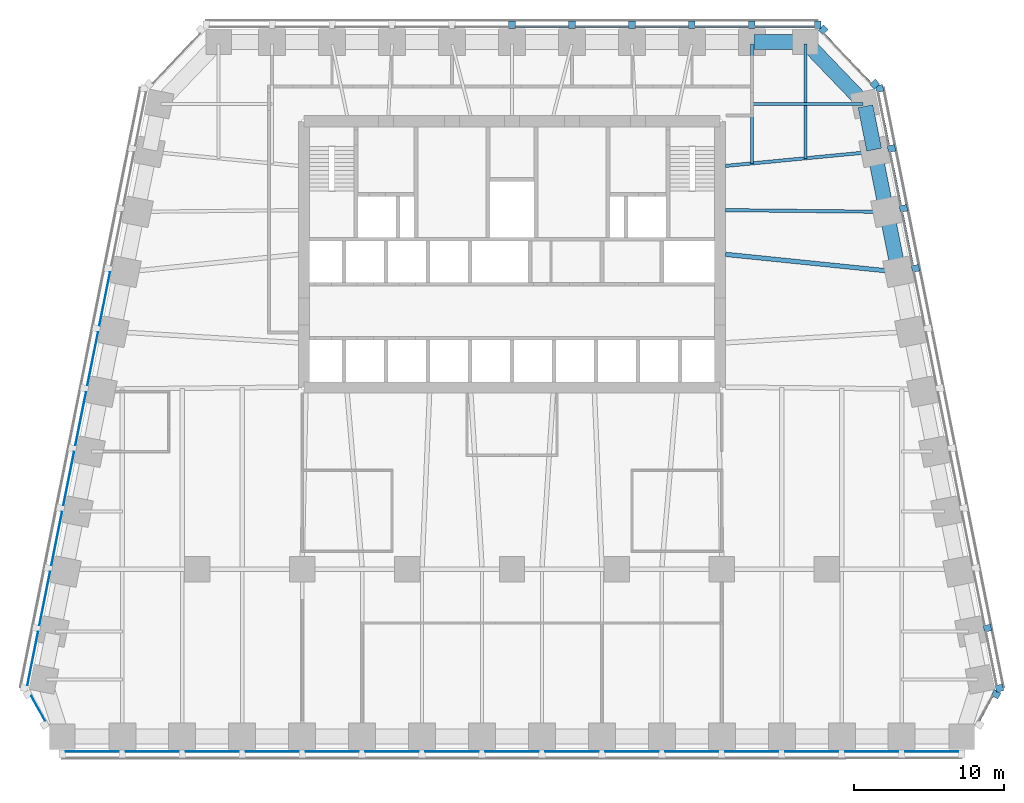
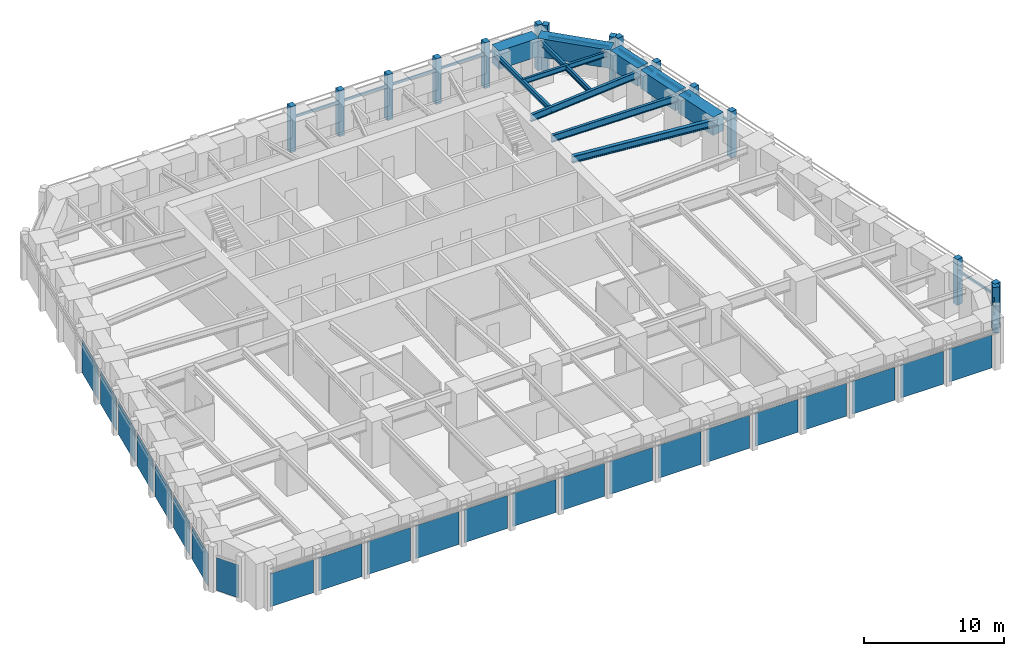
# One storey, part 4 of 9: 26 members, 23 plates, 11 beams, 7 elements without a shape of their own.
"""IFC4 building model written with IfcOpenShell, lengths in metres."""

import ifcopenshell
import ifcopenshell.guid

model = None  # the IFC model being written
_history = None  # IfcOwnerHistory: only IFC2X3 demands one
_inside = {}  # id of a spatial element -> (the spatial element, [elements in it])
_under = {}  # id of a project, library or spatial element -> (it, [spatial elements below it])
_declared = {}  # id of a project -> (the project, [libraries it declares])
_typed = {}  # id of a type object -> (the type object, [elements of that type])
_made_of = {}  # id of a material, layer set ... -> (it, [elements and type objects made of it])


def new_model(schema):
    """Start an empty IFC model of exactly this schema.

    Asked for "IFC4X3", IfcOpenShell would pick the latest addendum, in which some entities
    have other attributes; the version numbers below select the first issue.
    IFC2X3 requires an IfcOwnerHistory on every rooted entity: one is made here for all.
    """
    global model, _history
    if schema == "IFC4X3":
        model = ifcopenshell.file(schema_version=(4, 3, 0, 0))
    else:
        model = ifcopenshell.file(schema=schema)
    _inside.clear()
    _under.clear()
    _declared.clear()
    _typed.clear()
    _made_of.clear()
    _history = None
    if model.schema == "IFC2X3":
        org = make("IfcOrganization", Name="unknown")
        user = make(
            "IfcPersonAndOrganization",
            ThePerson=make("IfcPerson", FamilyName="unknown"),
            TheOrganization=org,
        )
        app = make(
            "IfcApplication",
            ApplicationDeveloper=org,
            Version="unknown",
            ApplicationFullName="unknown",
            ApplicationIdentifier="unknown",
        )
        _history = make(
            "IfcOwnerHistory",
            OwningUser=user,
            OwningApplication=app,
            ChangeAction="ADDED",
            CreationDate=0,
        )
    return model


def make(cls, **values):
    """One entity of the class cls with the attributes given. An attribute that is None is left unset."""
    return model.create_entity(
        cls, **{name: value for name, value in values.items() if value is not None}
    )


def rooted(cls, **values):
    """An entity with a GlobalId (a new one), such as an element, a storey or a relation."""
    return make(cls, GlobalId=ifcopenshell.guid.new(), OwnerHistory=_history, **values)


def si_unit(unit_type, name, prefix=None):
    """IfcSIUnit, for example si_unit("LENGTHUNIT", "METRE", prefix="MILLI")."""
    return make("IfcSIUnit", UnitType=unit_type, Prefix=prefix, Name=name)


def assignment(units):
    """IfcUnitAssignment: the units of a project."""
    return None if units is None else make("IfcUnitAssignment", Units=units)


def point(xyz):
    """IfcCartesianPoint."""
    return None if xyz is None else make("IfcCartesianPoint", Coordinates=xyz)


def direction(xyz):
    """IfcDirection."""
    return None if xyz is None else make("IfcDirection", DirectionRatios=xyz)


def frame(location, z_axis=None, x_axis=None):
    """IfcAxis2Placement3D, a coordinate frame: its origin and axes. An axis left out is left unset."""
    return make(
        "IfcAxis2Placement3D",
        Location=point(location),
        Axis=direction(z_axis),
        RefDirection=direction(x_axis),
    )


def frame_2d(location, x_axis=None):
    """IfcAxis2Placement2D, a coordinate frame in the plane: its origin and x axis."""
    return make(
        "IfcAxis2Placement2D", Location=point(location), RefDirection=direction(x_axis)
    )


def origin():
    """The frame at (0, 0, 0) with its axes left unset."""
    return frame((0.0, 0.0, 0.0))


def origin_2d():
    """The frame at (0, 0) in the plane with its x axis left unset."""
    return frame_2d((0.0, 0.0))


def place(relative_to, where):
    """IfcLocalPlacement: puts the frame where relative to a parent placement (None: the world)."""
    return make(
        "IfcLocalPlacement", PlacementRelTo=relative_to, RelativePlacement=where
    )


def context(
    kind, dimensions, precision=None, world=None, true_north=None, identifier=None
):
    """IfcGeometricRepresentationContext, for example the 3D "Model" context."""
    return make(
        "IfcGeometricRepresentationContext",
        ContextIdentifier=identifier,
        ContextType=kind,
        CoordinateSpaceDimension=dimensions,
        Precision=precision,
        WorldCoordinateSystem=world,
        TrueNorth=true_north,
    )


def subcontext(parent, identifier, kind, view, scale=None):
    """IfcGeometricRepresentationSubContext, for example "Body" below "Model"."""
    return make(
        "IfcGeometricRepresentationSubContext",
        ContextIdentifier=identifier,
        ContextType=kind,
        ParentContext=parent,
        TargetScale=scale,
        TargetView=view,
    )


def project(units=None, contexts=None):
    """IfcProject with its units and contexts."""
    return rooted(
        "IfcProject",
        Name="project",
        RepresentationContexts=contexts,
        UnitsInContext=assignment(units),
    )


def spatial(cls, under=None, at=None, **own):
    """A site, building, storey or space (cls), placed at a placement, below another one or the project."""
    s = rooted(cls, ObjectPlacement=at, **own)
    if under is not None:
        _under.setdefault(under.id(), (under, []))[1].append(s)
    return s


def profile(cls, at=None, kind="AREA", **sizes):
    """A parametric profile (cls). Its sizes go by their IFC names, for example OverallWidth=200.0."""
    return make(cls, ProfileType=kind, Position=at, **sizes)


def rectangle(**sizes):
    """IfcRectangleProfileDef."""
    return profile("IfcRectangleProfileDef", **sizes)


def i_section(**sizes):
    """IfcIShapeProfileDef."""
    return profile("IfcIShapeProfileDef", **sizes)


def extrude(swept, where, along, depth):
    """IfcExtrudedAreaSolid: the profile swept, set in the frame where, extruded along a direction by depth."""
    return make(
        "IfcExtrudedAreaSolid",
        SweptArea=swept,
        Position=where,
        ExtrudedDirection=direction(along),
        Depth=depth,
    )


def shape(context_of_items, identifier, shape_type, items):
    """IfcShapeRepresentation: the items that make up one representation, for example the "Body"."""
    return make(
        "IfcShapeRepresentation",
        ContextOfItems=context_of_items,
        RepresentationIdentifier=identifier,
        RepresentationType=shape_type,
        Items=items,
    )


def material(Name=None, Category=None):
    """IfcMaterial."""
    return make("IfcMaterial", Name=Name, Category=Category)


def layer(
    of_material, thickness, ventilated=None, Name=None, Category=None, Priority=None
):
    """IfcMaterialLayer: one layer of a wall or slab, of a material (None: an air gap)."""
    return make(
        "IfcMaterialLayer",
        Material=of_material,
        LayerThickness=thickness,
        IsVentilated=ventilated,
        Name=Name,
        Category=Category,
        Priority=Priority,
    )


def layer_set(layers, Name=None):
    """IfcMaterialLayerSet."""
    return make("IfcMaterialLayerSet", MaterialLayers=layers, LayerSetName=Name)


def material_profile(
    of_material, cross_section, Name=None, Category=None, Priority=None
):
    """IfcMaterialProfile: a cross section and its material."""
    return make(
        "IfcMaterialProfile",
        Name=Name,
        Material=of_material,
        Profile=cross_section,
        Priority=Priority,
        Category=Category,
    )


def profile_set(profiles, Name=None, composite=None):
    """IfcMaterialProfileSet."""
    return make(
        "IfcMaterialProfileSet",
        Name=Name,
        MaterialProfiles=profiles,
        CompositeProfile=composite,
    )


def made_of(thing, what):
    """Note that an element or type object is made of a material, layer set ...; save() writes the relation."""
    if what is not None:
        _made_of.setdefault(what.id(), (what, []))[1].append(thing)
    return thing


def type_object(cls, material=None, **own):
    """A type object (cls), such as IfcWallType, which elements share."""
    return made_of(rooted(cls, **own), material)


def element(
    cls,
    number,
    at=None,
    inside=None,
    cuts=None,
    type_object=None,
    material=None,
    context=None,
    identifier="Body",
    shape_type=None,
    held_by="IfcProductDefinitionShape",
    body=None,
    shapes=None,
    **own,
):
    """One element of the class cls, such as IfcWall. Its Tag is "e" and its number.

    at: its placement. inside: the storey or other place that contains it. cuts: it is an
    opening in that element (IfcRelVoidsElement). A single representation is given by context,
    identifier, shape_type and body (its items); several are given by shapes. held_by: the class
    of the entity that holds the representations. save() writes the other relations.
    """
    e = rooted(cls, Tag="e%d" % number, ObjectPlacement=at, **own)
    if body is not None:
        shapes = [shape(context, identifier, shape_type, body)]
    if shapes is not None:
        e.Representation = make(held_by, Representations=shapes)
    if inside is not None:
        _inside.setdefault(inside.id(), (inside, []))[1].append(e)
    if cuts is not None:
        rooted(
            "IfcRelVoidsElement", RelatingBuildingElement=cuts, RelatedOpeningElement=e
        )
    if type_object is not None:
        _typed.setdefault(type_object.id(), (type_object, []))[1].append(e)
    return made_of(e, material)


def aggregate(whole, parts):
    """IfcRelAggregates: a whole, such as a stair, and the parts it consists of."""
    return rooted("IfcRelAggregates", RelatingObject=whole, RelatedObjects=parts)


def save(model, path):
    """Write the relations noted so far, then the file.

    IfcRelAggregates (storeys below a building ...), IfcRelContainedInSpatialStructure (elements
    in a storey), IfcRelDefinesByType, IfcRelAssociatesMaterial and IfcRelDeclares: one each for
    every whole, place, type object, material and project.
    """
    for whole, parts in _under.values():
        aggregate(whole, parts)
    for where, things in _inside.values():
        rooted(
            "IfcRelContainedInSpatialStructure",
            RelatedElements=things,
            RelatingStructure=where,
        )
    for kind, things in _typed.values():
        rooted("IfcRelDefinesByType", RelatedObjects=things, RelatingType=kind)
    for what, things in _made_of.values():
        rooted("IfcRelAssociatesMaterial", RelatedObjects=things, RelatingMaterial=what)
    for by, libraries in _declared.values():
        rooted("IfcRelDeclares", RelatingContext=by, RelatedDefinitions=libraries)
    model.write(path)


model = new_model("IFC4")

# Units and contexts
model_context = context("Model", 3, precision=1e-05, world=origin(), true_north=direction((0.0, 1.0)))
body_context = subcontext(model_context, "Body", "Model", "MODEL_VIEW")
ifc_project = project(units=[si_unit("LENGTHUNIT", "METRE"), si_unit("AREAUNIT", "SQUARE_METRE"), si_unit("VOLUMEUNIT", "CUBIC_METRE"), si_unit("PLANEANGLEUNIT", "RADIAN"), si_unit("MASSUNIT", "GRAM", prefix="KILO")], contexts=[model_context])

# Site, building, storey
site_placement = place(None, origin())
site = spatial("IfcSite", under=ifc_project, at=site_placement, CompositionType="ELEMENT")
building_placement = place(site_placement, origin())
building = spatial("IfcBuilding", under=site, at=building_placement, Name="Isbrekke Arena Tower", CompositionType="ELEMENT")
storey_placement = place(building_placement, frame((0.0, 0.0, 127.0)))
storey = spatial("IfcBuildingStorey", under=building, at=storey_placement, Name="L28", CompositionType="ELEMENT", Elevation=127.0)

# Beams
ifc_material_1 = material(Name="Steel S355", Category="steel")
ifc_material_profile_1 = material_profile(ifc_material_1, i_section(OverallWidth=0.219970703125, OverallDepth=0.60009765625, WebThickness=0.011962890625, FlangeThickness=0.01904296875, FilletRadius=0.02392578125, at=origin_2d()), Name="IPE 600")
ifc_profile_set_1 = profile_set([ifc_material_profile_1], Name="Steel S355")
beam_type_1 = type_object("IfcBeamType", Name="B1 IPE 600", PredefinedType="BEAM", material=ifc_profile_set_1)
beam_1_placement = place(storey_placement, frame((24.83984375, 17.838134765625, 3.550048828125), z_axis=(-0.999944260169, 0.010558245831, 0.0), x_axis=(-0.010558245831, -0.999944260169, 0.0)))
element("IfcBeam", 1, at=beam_1_placement, inside=storey, type_object=beam_type_1, Name="B1 beam E-E09 L28", PredefinedType="BEAM", context=body_context, shape_type="SweptSolid", body=[
    extrude(i_section(OverallWidth=0.219970703125, OverallDepth=0.60009765625, WebThickness=0.011962890625, FlangeThickness=0.01904296875, FilletRadius=0.02392578125, at=origin_2d()), origin(), (0.0, 0.0, 1.0), 10.59033203125),
])
beam_2_placement = place(storey_placement, frame((24.030517578125, 21.837158203125, 3.550048828125), z_axis=(-0.995439798606, -0.095391862082, 0.0), x_axis=(0.095391862082, -0.995439798606, 0.0)))
element("IfcBeam", 2, at=beam_2_placement, inside=storey, type_object=beam_type_1, Name="B1 beam E-E10 L28", PredefinedType="BEAM", context=body_context, shape_type="SweptSolid", body=[
    extrude(i_section(OverallWidth=0.219970703125, OverallDepth=0.60009765625, WebThickness=0.011962890625, FlangeThickness=0.01904296875, FilletRadius=0.02392578125, at=origin_2d()), origin(), (0.0, 0.0, 1.0), 9.825439453125),
])
ifc_material_2 = material(Name="Steel S355", Category="steel")
ifc_material_profile_2 = material_profile(ifc_material_2, i_section(OverallWidth=0.18994140625, OverallDepth=0.449951171875, WebThickness=0.009521484375, FlangeThickness=0.0146484375, FilletRadius=0.02099609375, at=origin_2d()), Name="IPE 450")
ifc_profile_set_2 = profile_set([ifc_material_profile_2], Name="Steel S355")
beam_type_2 = type_object("IfcBeamType", Name="B2 IPE 450", PredefinedType="BEAM", material=ifc_profile_set_2)
beam_3_placement = place(storey_placement, frame((23.40283203125, 25.029296875, 3.625), z_axis=(-1.0, 0.0, 0.0), x_axis=(0.0, -1.0, 0.0)))
element("IfcBeam", 3, at=beam_3_placement, inside=storey, type_object=beam_type_2, Name="B2 beam E-E11 L28", PredefinedType="BEAM", context=body_context, shape_type="SweptSolid", body=[
    extrude(i_section(OverallWidth=0.18994140625, OverallDepth=0.449951171875, WebThickness=0.009521484375, FlangeThickness=0.0146484375, FilletRadius=0.02099609375, at=origin_2d()), origin(), (0.0, 0.0, 1.0), 7.40283203125),
])
ifc_material_3 = material(Name="Steel S355", Category="steel")
ifc_material_profile_3 = material_profile(ifc_material_3, i_section(OverallWidth=0.18994140625, OverallDepth=0.449951171875, WebThickness=0.009521484375, FlangeThickness=0.0146484375, FilletRadius=0.02099609375, at=origin_2d()), Name="IPE 450")
ifc_profile_set_3 = profile_set([ifc_material_profile_3], Name="Steel S355")
beam_type_3 = type_object("IfcBeamType", Name="B3 IPE 450", PredefinedType="BEAM", material=ifc_profile_set_3)
beam_4_placement = place(storey_placement, frame((19.574951171875, 29.02490234375, 3.625), z_axis=(0.0, -1.0, 0.0), x_axis=(1.0, 0.0, 0.0)))
element("IfcBeam", 4, at=beam_4_placement, inside=storey, type_object=beam_type_3, Name="B3 beam N-N01 L28", PredefinedType="BEAM", context=body_context, shape_type="SweptSolid", body=[
    extrude(i_section(OverallWidth=0.18994140625, OverallDepth=0.449951171875, WebThickness=0.009521484375, FlangeThickness=0.0146484375, FilletRadius=0.02099609375, at=origin_2d()), origin(), (0.0, 0.0, 1.0), 7.61474609375),
])
beam_5_placement = place(storey_placement, frame((16.0, 29.02490234375, 3.625), z_axis=(0.0, -1.0, 0.0), x_axis=(1.0, 0.0, 0.0)))
element("IfcBeam", 5, at=beam_5_placement, inside=storey, type_object=beam_type_3, Name="B3 beam N-N02 L28", PredefinedType="BEAM", context=body_context, shape_type="SweptSolid", body=[
    extrude(i_section(OverallWidth=0.18994140625, OverallDepth=0.449951171875, WebThickness=0.009521484375, FlangeThickness=0.0146484375, FilletRadius=0.02099609375, at=origin_2d()), origin(), (0.0, 0.0, 1.0), 7.957275390625),
])
ifc_material_4 = material(Name="Steel S355", Category="steel")
ifc_material_profile_4 = material_profile(ifc_material_4, i_section(OverallWidth=0.300048828125, OverallDepth=0.60009765625, WebThickness=0.015380859375, FlangeThickness=0.030029296875, FilletRadius=0.027099609375, at=origin_2d()), Name="HEB 600")
ifc_profile_set_4 = profile_set([ifc_material_profile_4], Name="Steel S355")
beam_type_4 = type_object("IfcBeamType", Name="B7 HEB 600", PredefinedType="BEAM", material=ifc_profile_set_4)
beam_6_placement = place(storey_placement, frame((25.6259765625, 13.83984375, 3.550048828125), z_axis=(-0.994839949319, 0.10145676537, 0.0), x_axis=(-0.10145676537, -0.994839949319, 0.0)))
element("IfcBeam", 6, at=beam_6_placement, inside=storey, type_object=beam_type_4, Name="B7 beam E-E08 L28", PredefinedType="BEAM", context=body_context, shape_type="SweptSolid", body=[
    extrude(i_section(OverallWidth=0.300048828125, OverallDepth=0.60009765625, WebThickness=0.015380859375, FlangeThickness=0.030029296875, FilletRadius=0.027099609375, at=origin_2d()), origin(), (0.0, 0.0, 1.0), 11.43505859375),
])

# Curtain wall, member
ifc_material_5 = material(Name="Glazed aluminium curtain wall", Category="aluminium")
curtain_wall_type = type_object("IfcCurtainWallType", Name="CWM TOWER CURTAIN WALL MID ZONE", PredefinedType="USERDEFINED", material=ifc_material_5)
curtain_wall_1_placement = place(storey_placement, origin())
curtain_wall_1 = element("IfcCurtainWall", 7, at=curtain_wall_1_placement, inside=storey, type_object=curtain_wall_type, Name="CWM curtain wall L28-SE", ObjectType="TOWER CURTAIN WALL MID ZONE", PredefinedType="USERDEFINED")
ifc_material_6 = material(Name="Aluminium mullion, pale brick slip cladding", Category="masonry")
ifc_material_profile_5 = material_profile(ifc_material_6, rectangle(XDim=0.449951171875, YDim=0.5, at=origin_2d()), Name="PIER 450X500")
ifc_profile_set_5 = profile_set([ifc_material_profile_5], Name="Aluminium mullion, pale brick slip cladding")
member_type_1 = type_object("IfcMemberType", Name="CWM-M PIER MULLION 450 x 500", PredefinedType="MULLION", material=ifc_profile_set_5)
member_1_placement = place(storey_placement, frame((32.296142578125, -14.34375, 0.0), z_axis=(0.0, 0.0, 1.0), x_axis=(0.481918749773, 0.876215908676, 0.0)))
member_1 = element("IfcMember", 8, at=member_1_placement, type_object=member_type_1, Name="CWM-M mullion 2", PredefinedType="MULLION", context=body_context, shape_type="SweptSolid", body=[
    extrude(rectangle(XDim=0.449951171875, YDim=0.5, at=origin_2d()), origin(), (0.0, 0.0, 1.0), 4.0),
])

# Curtain wall, members
curtain_wall_2_placement = place(storey_placement, origin())
curtain_wall_2 = element("IfcCurtainWall", 9, at=curtain_wall_2_placement, inside=storey, type_object=curtain_wall_type, Name="CWM curtain wall L28-E", ObjectType="TOWER CURTAIN WALL MID ZONE", PredefinedType="USERDEFINED")
member_2_placement = place(storey_placement, frame((32.518798828125, -13.936279296875, 0.0), z_axis=(0.0, 0.0, 1.0), x_axis=(-0.196116135138, 0.980580675691, 0.0)))
member_2 = element("IfcMember", 10, at=member_2_placement, type_object=member_type_1, Name="CWM-M mullion 1", PredefinedType="MULLION", context=body_context, shape_type="SweptSolid", body=[
    extrude(rectangle(XDim=0.449951171875, YDim=0.5, at=origin_2d()), origin(), (0.0, 0.0, 1.0), 4.0),
])
member_3_placement = place(storey_placement, frame((31.71875, -9.936279296875, 0.0), z_axis=(0.0, 0.0, 1.0), x_axis=(-0.196116135138, 0.980580675691, 0.0)))
member_3 = element("IfcMember", 11, at=member_3_placement, type_object=member_type_1, Name="CWM-M mullion 2", PredefinedType="MULLION", context=body_context, shape_type="SweptSolid", body=[
    extrude(rectangle(XDim=0.449951171875, YDim=0.5, at=origin_2d()), origin(), (0.0, 0.0, 1.0), 4.0),
])
member_4_placement = place(storey_placement, frame((26.918701171875, 14.063720703125, 0.0), z_axis=(0.0, 0.0, 1.0), x_axis=(-0.196116135138, 0.980580675691, 0.0)))
member_4 = element("IfcMember", 12, at=member_4_placement, type_object=member_type_1, Name="CWM-M mullion 8", PredefinedType="MULLION", context=body_context, shape_type="SweptSolid", body=[
    extrude(rectangle(XDim=0.449951171875, YDim=0.5, at=origin_2d()), origin(), (0.0, 0.0, 1.0), 4.0),
])
member_5_placement = place(storey_placement, frame((26.11865234375, 18.063720703125, 0.0), z_axis=(0.0, 0.0, 1.0), x_axis=(-0.196116135138, 0.980580675691, 0.0)))
member_5 = element("IfcMember", 13, at=member_5_placement, type_object=member_type_1, Name="CWM-M mullion 9", PredefinedType="MULLION", context=body_context, shape_type="SweptSolid", body=[
    extrude(rectangle(XDim=0.449951171875, YDim=0.5, at=origin_2d()), origin(), (0.0, 0.0, 1.0), 4.0),
])
member_6_placement = place(storey_placement, frame((25.318603515625, 22.063720703125, 0.0), z_axis=(0.0, 0.0, 1.0), x_axis=(-0.196116135138, 0.980580675691, 0.0)))
member_6 = element("IfcMember", 14, at=member_6_placement, type_object=member_type_1, Name="CWM-M mullion 10", PredefinedType="MULLION", context=body_context, shape_type="SweptSolid", body=[
    extrude(rectangle(XDim=0.449951171875, YDim=0.5, at=origin_2d()), origin(), (0.0, 0.0, 1.0), 4.0),
])
member_7_placement = place(storey_placement, frame((24.518798828125, 26.063720703125, 0.0), z_axis=(0.0, 0.0, 1.0), x_axis=(-0.196116135138, 0.980580675691, 0.0)))
member_7 = element("IfcMember", 15, at=member_7_placement, type_object=member_type_1, Name="CWM-M mullion 11", PredefinedType="MULLION", context=body_context, shape_type="SweptSolid", body=[
    extrude(rectangle(XDim=0.449951171875, YDim=0.5, at=origin_2d()), origin(), (0.0, 0.0, 1.0), 4.0),
])

curtain_wall_3_placement = place(storey_placement, origin())
curtain_wall_3 = element("IfcCurtainWall", 16, at=curtain_wall_3_placement, inside=storey, type_object=curtain_wall_type, Name="CWM curtain wall L28-EN", ObjectType="TOWER CURTAIN WALL MID ZONE", PredefinedType="USERDEFINED")
member_8_placement = place(storey_placement, frame((24.208251953125, 26.354248046875, 0.0), z_axis=(0.0, 0.0, 1.0), x_axis=(-0.68874946192, 0.72499943359, 0.0)))
member_8 = element("IfcMember", 17, at=member_8_placement, type_object=member_type_1, Name="CWM-M mullion 1", PredefinedType="MULLION", context=body_context, shape_type="SweptSolid", body=[
    extrude(rectangle(XDim=0.449951171875, YDim=0.5, at=origin_2d()), origin(), (0.0, 0.0, 1.0), 4.0),
])
member_9_placement = place(storey_placement, frame((20.7587890625, 29.9853515625, 0.0), z_axis=(0.0, 0.0, 1.0), x_axis=(-0.68874946192, 0.72499943359, 0.0)))
member_9 = element("IfcMember", 18, at=member_9_placement, type_object=member_type_1, Name="CWM-M mullion 2", PredefinedType="MULLION", context=body_context, shape_type="SweptSolid", body=[
    extrude(rectangle(XDim=0.449951171875, YDim=0.5, at=origin_2d()), origin(), (0.0, 0.0, 1.0), 4.0),
])

curtain_wall_4_placement = place(storey_placement, origin())
curtain_wall_4 = element("IfcCurtainWall", 19, at=curtain_wall_4_placement, inside=storey, type_object=curtain_wall_type, Name="CWM curtain wall L28-N", ObjectType="TOWER CURTAIN WALL MID ZONE", PredefinedType="USERDEFINED")
member_10_placement = place(storey_placement, frame((20.39990234375, 30.324951171875, 0.0), z_axis=(0.0, 0.0, 1.0), x_axis=(-1.0, 0.0, 0.0)))
member_10 = element("IfcMember", 20, at=member_10_placement, type_object=member_type_1, Name="CWM-M mullion 1", PredefinedType="MULLION", context=body_context, shape_type="SweptSolid", body=[
    extrude(rectangle(XDim=0.449951171875, YDim=0.5, at=origin_2d()), origin(), (0.0, 0.0, 1.0), 4.0),
])
member_11_placement = place(storey_placement, frame((16.0, 30.324951171875, 0.0), z_axis=(0.0, 0.0, 1.0), x_axis=(-1.0, 0.0, 0.0)))
member_11 = element("IfcMember", 21, at=member_11_placement, type_object=member_type_1, Name="CWM-M mullion 2", PredefinedType="MULLION", context=body_context, shape_type="SweptSolid", body=[
    extrude(rectangle(XDim=0.449951171875, YDim=0.5, at=origin_2d()), origin(), (0.0, 0.0, 1.0), 4.0),
])
member_12_placement = place(storey_placement, frame((12.0, 30.324951171875, 0.0), z_axis=(0.0, 0.0, 1.0), x_axis=(-1.0, 0.0, 0.0)))
member_12 = element("IfcMember", 22, at=member_12_placement, type_object=member_type_1, Name="CWM-M mullion 3", PredefinedType="MULLION", context=body_context, shape_type="SweptSolid", body=[
    extrude(rectangle(XDim=0.449951171875, YDim=0.5, at=origin_2d()), origin(), (0.0, 0.0, 1.0), 4.0),
])
member_13_placement = place(storey_placement, frame((8.0, 30.324951171875, 0.0), z_axis=(0.0, 0.0, 1.0), x_axis=(-1.0, 0.0, 0.0)))
member_13 = element("IfcMember", 23, at=member_13_placement, type_object=member_type_1, Name="CWM-M mullion 4", PredefinedType="MULLION", context=body_context, shape_type="SweptSolid", body=[
    extrude(rectangle(XDim=0.449951171875, YDim=0.5, at=origin_2d()), origin(), (0.0, 0.0, 1.0), 4.0),
])
member_14_placement = place(storey_placement, frame((4.0, 30.324951171875, 0.0), z_axis=(0.0, 0.0, 1.0), x_axis=(-1.0, 0.0, 0.0)))
member_14 = element("IfcMember", 24, at=member_14_placement, type_object=member_type_1, Name="CWM-M mullion 5", PredefinedType="MULLION", context=body_context, shape_type="SweptSolid", body=[
    extrude(rectangle(XDim=0.449951171875, YDim=0.5, at=origin_2d()), origin(), (0.0, 0.0, 1.0), 4.0),
])
member_15_placement = place(storey_placement, frame((0.0, 30.324951171875, 0.0), z_axis=(0.0, 0.0, 1.0), x_axis=(-1.0, 0.0, 0.0)))
member_15 = element("IfcMember", 25, at=member_15_placement, type_object=member_type_1, Name="CWM-M mullion 6", PredefinedType="MULLION", context=body_context, shape_type="SweptSolid", body=[
    extrude(rectangle(XDim=0.449951171875, YDim=0.5, at=origin_2d()), origin(), (0.0, 0.0, 1.0), 4.0),
])

# Member
ifc_material_7 = material(Name="Aluminium transom", Category="aluminium")
ifc_material_profile_6 = material_profile(ifc_material_7, rectangle(XDim=0.1201171875, YDim=0.199951171875, at=origin_2d()), Name="TRANSOM 120X200")
ifc_profile_set_6 = profile_set([ifc_material_profile_6], Name="Aluminium transom")
member_type_2 = type_object("IfcMemberType", Name="CWM-T TRANSOM 120 x 200", PredefinedType="USERDEFINED", material=ifc_profile_set_6)
member_16_placement = place(storey_placement, frame((31.152099609375, -16.112548828125, 3.0), z_axis=(0.482003669577, 0.876169197424, 0.0), x_axis=(-0.876169197424, 0.482003669577, 0.0)))
member_16 = element("IfcMember", 26, at=member_16_placement, type_object=member_type_2, Name="CWM-T transom 1", ObjectType="TRANSOM", PredefinedType="USERDEFINED", context=body_context, shape_type="SweptSolid", body=[
    extrude(rectangle(XDim=0.1201171875, YDim=0.199951171875, at=origin_2d()), origin(), (0.0, 0.0, 1.0), 1.876220703125),
])

aggregate(curtain_wall_1, [member_1, member_16])

member_17_placement = place(storey_placement, frame((32.327392578125, -13.7451171875, 3.0), z_axis=(-0.196090262229, 0.980585849918, 0.0), x_axis=(-0.980585849918, -0.196090262229, 0.0)))
member_17 = element("IfcMember", 27, at=member_17_placement, type_object=member_type_2, Name="CWM-T transom 1", ObjectType="TRANSOM", PredefinedType="USERDEFINED", context=body_context, shape_type="SweptSolid", body=[
    extrude(rectangle(XDim=0.1201171875, YDim=0.199951171875, at=origin_2d()), origin(), (0.0, 0.0, 1.0), 3.62939453125),
])

member_18_placement = place(storey_placement, frame((26.7275390625, 14.2548828125, 3.0), z_axis=(-0.196154943734, 0.980572913173, 0.0), x_axis=(-0.980572913173, -0.196154943734, 0.0)))
member_18 = element("IfcMember", 28, at=member_18_placement, type_object=member_type_2, Name="CWM-T transom 8", ObjectType="TRANSOM", PredefinedType="USERDEFINED", context=body_context, shape_type="SweptSolid", body=[
    extrude(rectangle(XDim=0.1201171875, YDim=0.199951171875, at=origin_2d()), origin(), (0.0, 0.0, 1.0), 3.62939453125),
])

member_19_placement = place(storey_placement, frame((25.927490234375, 18.2548828125, 3.0), z_axis=(-0.196090262229, 0.980585849918, 0.0), x_axis=(-0.980585849918, -0.196090262229, 0.0)))
member_19 = element("IfcMember", 29, at=member_19_placement, type_object=member_type_2, Name="CWM-T transom 9", ObjectType="TRANSOM", PredefinedType="USERDEFINED", context=body_context, shape_type="SweptSolid", body=[
    extrude(rectangle(XDim=0.1201171875, YDim=0.199951171875, at=origin_2d()), origin(), (0.0, 0.0, 1.0), 3.62939453125),
])

member_20_placement = place(storey_placement, frame((25.12744140625, 22.2548828125, 3.0), z_axis=(-0.196090262229, 0.980585849918, 0.0), x_axis=(-0.980585849918, -0.196090262229, 0.0)))
member_20 = element("IfcMember", 30, at=member_20_placement, type_object=member_type_2, Name="CWM-T transom 10", ObjectType="TRANSOM", PredefinedType="USERDEFINED", context=body_context, shape_type="SweptSolid", body=[
    extrude(rectangle(XDim=0.1201171875, YDim=0.199951171875, at=origin_2d()), origin(), (0.0, 0.0, 1.0), 3.62939453125),
])

aggregate(curtain_wall_2, [member_2, member_3, member_4, member_5, member_6, member_7, member_17, member_18, member_19, member_20])

member_21_placement = place(storey_placement, frame((23.944580078125, 26.4140625, 3.0), z_axis=(-0.688771983213, 0.724978037696, 0.0), x_axis=(-0.724978037696, -0.688771983213, 0.0)))
member_21 = element("IfcMember", 31, at=member_21_placement, type_object=member_type_2, Name="CWM-T transom 1", ObjectType="TRANSOM", PredefinedType="USERDEFINED", context=body_context, shape_type="SweptSolid", body=[
    extrude(rectangle(XDim=0.1201171875, YDim=0.199951171875, at=origin_2d()), origin(), (0.0, 0.0, 1.0), 4.558349609375),
])

aggregate(curtain_wall_3, [member_8, member_9, member_21])

member_22_placement = place(storey_placement, frame((20.175048828125, 30.175048828125, 3.0), z_axis=(-1.0, 0.0, 0.0), x_axis=(0.0, -1.0, 0.0)))
member_22 = element("IfcMember", 32, at=member_22_placement, type_object=member_type_2, Name="CWM-T transom 1", ObjectType="TRANSOM", PredefinedType="USERDEFINED", context=body_context, shape_type="SweptSolid", body=[
    extrude(rectangle(XDim=0.1201171875, YDim=0.199951171875, at=origin_2d()), origin(), (0.0, 0.0, 1.0), 3.949951171875),
])

member_23_placement = place(storey_placement, frame((15.77490234375, 30.175048828125, 3.0), z_axis=(-1.0, 0.0, 0.0), x_axis=(0.0, -1.0, 0.0)))
member_23 = element("IfcMember", 33, at=member_23_placement, type_object=member_type_2, Name="CWM-T transom 2", ObjectType="TRANSOM", PredefinedType="USERDEFINED", context=body_context, shape_type="SweptSolid", body=[
    extrude(rectangle(XDim=0.1201171875, YDim=0.199951171875, at=origin_2d()), origin(), (0.0, 0.0, 1.0), 3.5498046875),
])

member_24_placement = place(storey_placement, frame((11.77490234375, 30.175048828125, 3.0), z_axis=(-1.0, 0.0, 0.0), x_axis=(0.0, -1.0, 0.0)))
member_24 = element("IfcMember", 34, at=member_24_placement, type_object=member_type_2, Name="CWM-T transom 3", ObjectType="TRANSOM", PredefinedType="USERDEFINED", context=body_context, shape_type="SweptSolid", body=[
    extrude(rectangle(XDim=0.1201171875, YDim=0.199951171875, at=origin_2d()), origin(), (0.0, 0.0, 1.0), 3.5498046875),
])

member_25_placement = place(storey_placement, frame((7.77490234375, 30.175048828125, 3.0), z_axis=(-1.0, 0.0, 0.0), x_axis=(0.0, -1.0, 0.0)))
member_25 = element("IfcMember", 35, at=member_25_placement, type_object=member_type_2, Name="CWM-T transom 4", ObjectType="TRANSOM", PredefinedType="USERDEFINED", context=body_context, shape_type="SweptSolid", body=[
    extrude(rectangle(XDim=0.1201171875, YDim=0.199951171875, at=origin_2d()), origin(), (0.0, 0.0, 1.0), 3.5498046875),
])

member_26_placement = place(storey_placement, frame((3.77490234375, 30.175048828125, 3.0), z_axis=(-1.0, 0.0, 0.0), x_axis=(0.0, -1.0, 0.0)))
member_26 = element("IfcMember", 36, at=member_26_placement, type_object=member_type_2, Name="CWM-T transom 5", ObjectType="TRANSOM", PredefinedType="USERDEFINED", context=body_context, shape_type="SweptSolid", body=[
    extrude(rectangle(XDim=0.1201171875, YDim=0.199951171875, at=origin_2d()), origin(), (0.0, 0.0, 1.0), 3.5498046875),
])

aggregate(curtain_wall_4, [member_10, member_11, member_12, member_13, member_14, member_15, member_22, member_23, member_24, member_25, member_26])

# Beams
ifc_material_8 = material(Name="Concrete B80 (C80/95)", Category="concrete")
ifc_material_profile_7 = material_profile(ifc_material_8, rectangle(XDim=1.0, YDim=1.60009765625, at=origin_2d()), Name="RC 1000x1600")
ifc_profile_set_7 = profile_set([ifc_material_profile_7], Name="Concrete B80 (C80/95)")
beam_type_5 = type_object("IfcBeamType", Name="SB2 RC 1000 x 1600", PredefinedType="SPANDREL", material=ifc_profile_set_7)
for number, where, z_axis, x_axis, name in (
    (37, (25.76171875, 13.9853515625, 3.199951171875), (-0.196128558387, 0.980578190959, 0.0), (-0.980578190959, -0.196128558387, 0.0), "SB2 spandrel E08-E09 L28"),
    (38, (24.961669921875, 17.9853515625, 3.199951171875), (-0.196128558387, 0.980578190959, 0.0), (-0.980578190959, -0.196128558387, 0.0), "SB2 spandrel E09-E10 L28"),
):
    element("IfcBeam", number, at=place(storey_placement, frame(where, z_axis=z_axis, x_axis=x_axis)), inside=storey, type_object=beam_type_5, Name=name, PredefinedType="SPANDREL", context=body_context, shape_type="SweptSolid", body=[
        extrude(rectangle(XDim=1.0, YDim=1.60009765625, at=origin_2d()), origin(), (0.0, 0.0, 1.0), 3.779296875),
    ])
beam_7_placement = place(storey_placement, frame((24.16162109375, 21.9853515625, 3.199951171875), z_axis=(-0.196116135138, 0.980580675691, 0.0), x_axis=(-0.980580675691, -0.196116135138, 0.0)))
element("IfcBeam", 39, at=beam_7_placement, inside=storey, type_object=beam_type_5, Name="SB2 spandrel E10-E11 L28", PredefinedType="SPANDREL", context=body_context, shape_type="SweptSolid", body=[
    extrude(rectangle(XDim=1.0, YDim=1.60009765625, at=origin_2d()), origin(), (0.0, 0.0, 1.0), 2.9541015625),
])
beam_8_placement = place(storey_placement, frame((23.448974609375, 25.137451171875, 3.199951171875), z_axis=(-0.692339547635, 0.721571861134, 0.0), x_axis=(-0.721571861134, -0.692339547635, 0.0)))
element("IfcBeam", 40, at=beam_8_placement, inside=storey, type_object=beam_type_5, Name="SB2 spandrel E11-N01 L28", PredefinedType="SPANDREL", context=body_context, shape_type="SweptSolid", body=[
    extrude(rectangle(XDim=1.0, YDim=1.60009765625, at=origin_2d()), origin(), (0.0, 0.0, 1.0), 5.4453125),
])
beam_9_placement = place(storey_placement, frame((19.425048828125, 29.175048828125, 3.199951171875), z_axis=(-1.0, 0.0, 0.0), x_axis=(0.0, -1.0, 0.0)))
element("IfcBeam", 41, at=beam_9_placement, inside=storey, type_object=beam_type_5, Name="SB2 spandrel N01-N02 L28", PredefinedType="SPANDREL", context=body_context, shape_type="SweptSolid", body=[
    extrude(rectangle(XDim=1.0, YDim=1.60009765625, at=origin_2d()), origin(), (0.0, 0.0, 1.0), 3.275146484375),
])

# Curtain wall, plates
curtain_wall_5_placement = place(storey_placement, origin())
curtain_wall_5 = element("IfcCurtainWall", 42, at=curtain_wall_5_placement, inside=storey, type_object=curtain_wall_type, Name="CWM curtain wall L28-S", ObjectType="TOWER CURTAIN WALL MID ZONE", PredefinedType="USERDEFINED")
ifc_material_9 = material(Name="Triple-glazed clear glass unit", Category="glass")
ifc_layer = layer(ifc_material_9, 0.031982421875)
ifc_layer_set = layer_set([ifc_layer], Name="CWM-P VISION PANEL")
plate_type = type_object("IfcPlateType", Name="CWM-P VISION PANEL", PredefinedType="CURTAIN_PANEL", material=ifc_layer_set)
plate_1_placement = place(storey_placement, frame((-28.0, -18.175048828125, 0.02001953125), z_axis=(0.0, 0.0, 1.0), x_axis=(1.0, 0.0, 0.0)))
plate_1 = element("IfcPlate", 43, at=plate_1_placement, type_object=plate_type, Name="CWM-P panel 1", PredefinedType="CURTAIN_PANEL", context=body_context, shape_type="SweptSolid", body=[
    extrude(rectangle(XDim=3.550048828125, YDim=0.031982421875, at=origin_2d()), origin(), (0.0, 0.0, 1.0), 2.8798828125),
])
plate_2_placement = place(storey_placement, frame((-24.0, -18.175048828125, 0.02001953125), z_axis=(0.0, 0.0, 1.0), x_axis=(1.0, 0.0, 0.0)))
plate_2 = element("IfcPlate", 44, at=plate_2_placement, type_object=plate_type, Name="CWM-P panel 2", PredefinedType="CURTAIN_PANEL", context=body_context, shape_type="SweptSolid", body=[
    extrude(rectangle(XDim=3.550048828125, YDim=0.031982421875, at=origin_2d()), origin(), (0.0, 0.0, 1.0), 2.8798828125),
])
plate_3_placement = place(storey_placement, frame((-20.0, -18.175048828125, 0.02001953125), z_axis=(0.0, 0.0, 1.0), x_axis=(1.0, 0.0, 0.0)))
plate_3 = element("IfcPlate", 45, at=plate_3_placement, type_object=plate_type, Name="CWM-P panel 3", PredefinedType="CURTAIN_PANEL", context=body_context, shape_type="SweptSolid", body=[
    extrude(rectangle(XDim=3.550048828125, YDim=0.031982421875, at=origin_2d()), origin(), (0.0, 0.0, 1.0), 2.8798828125),
])
plate_4_placement = place(storey_placement, frame((-16.0, -18.175048828125, 0.02001953125), z_axis=(0.0, 0.0, 1.0), x_axis=(1.0, 0.0, 0.0)))
plate_4 = element("IfcPlate", 46, at=plate_4_placement, type_object=plate_type, Name="CWM-P panel 4", PredefinedType="CURTAIN_PANEL", context=body_context, shape_type="SweptSolid", body=[
    extrude(rectangle(XDim=3.550048828125, YDim=0.031982421875, at=origin_2d()), origin(), (0.0, 0.0, 1.0), 2.8798828125),
])
plate_5_placement = place(storey_placement, frame((-12.0, -18.175048828125, 0.02001953125), z_axis=(0.0, 0.0, 1.0), x_axis=(1.0, 0.0, 0.0)))
plate_5 = element("IfcPlate", 47, at=plate_5_placement, type_object=plate_type, Name="CWM-P panel 5", PredefinedType="CURTAIN_PANEL", context=body_context, shape_type="SweptSolid", body=[
    extrude(rectangle(XDim=3.550048828125, YDim=0.031982421875, at=origin_2d()), origin(), (0.0, 0.0, 1.0), 2.8798828125),
])
plate_6_placement = place(storey_placement, frame((-8.0, -18.175048828125, 0.02001953125), z_axis=(0.0, 0.0, 1.0), x_axis=(1.0, 0.0, 0.0)))
plate_6 = element("IfcPlate", 48, at=plate_6_placement, type_object=plate_type, Name="CWM-P panel 6", PredefinedType="CURTAIN_PANEL", context=body_context, shape_type="SweptSolid", body=[
    extrude(rectangle(XDim=3.550048828125, YDim=0.031982421875, at=origin_2d()), origin(), (0.0, 0.0, 1.0), 2.8798828125),
])
plate_7_placement = place(storey_placement, frame((-4.0, -18.175048828125, 0.02001953125), z_axis=(0.0, 0.0, 1.0), x_axis=(1.0, 0.0, 0.0)))
plate_7 = element("IfcPlate", 49, at=plate_7_placement, type_object=plate_type, Name="CWM-P panel 7", PredefinedType="CURTAIN_PANEL", context=body_context, shape_type="SweptSolid", body=[
    extrude(rectangle(XDim=3.550048828125, YDim=0.031982421875, at=origin_2d()), origin(), (0.0, 0.0, 1.0), 2.8798828125),
])
plate_8_placement = place(storey_placement, frame((0.0, -18.175048828125, 0.02001953125), z_axis=(0.0, 0.0, 1.0), x_axis=(1.0, 0.0, 0.0)))
plate_8 = element("IfcPlate", 50, at=plate_8_placement, type_object=plate_type, Name="CWM-P panel 8", PredefinedType="CURTAIN_PANEL", context=body_context, shape_type="SweptSolid", body=[
    extrude(rectangle(XDim=3.550048828125, YDim=0.031982421875, at=origin_2d()), origin(), (0.0, 0.0, 1.0), 2.8798828125),
])
plate_9_placement = place(storey_placement, frame((4.0, -18.175048828125, 0.02001953125), z_axis=(0.0, 0.0, 1.0), x_axis=(1.0, 0.0, 0.0)))
plate_9 = element("IfcPlate", 51, at=plate_9_placement, type_object=plate_type, Name="CWM-P panel 9", PredefinedType="CURTAIN_PANEL", context=body_context, shape_type="SweptSolid", body=[
    extrude(rectangle(XDim=3.550048828125, YDim=0.031982421875, at=origin_2d()), origin(), (0.0, 0.0, 1.0), 2.8798828125),
])
plate_10_placement = place(storey_placement, frame((8.0, -18.175048828125, 0.02001953125), z_axis=(0.0, 0.0, 1.0), x_axis=(1.0, 0.0, 0.0)))
plate_10 = element("IfcPlate", 52, at=plate_10_placement, type_object=plate_type, Name="CWM-P panel 10", PredefinedType="CURTAIN_PANEL", context=body_context, shape_type="SweptSolid", body=[
    extrude(rectangle(XDim=3.550048828125, YDim=0.031982421875, at=origin_2d()), origin(), (0.0, 0.0, 1.0), 2.8798828125),
])
plate_11_placement = place(storey_placement, frame((12.0, -18.175048828125, 0.02001953125), z_axis=(0.0, 0.0, 1.0), x_axis=(1.0, 0.0, 0.0)))
plate_11 = element("IfcPlate", 53, at=plate_11_placement, type_object=plate_type, Name="CWM-P panel 11", PredefinedType="CURTAIN_PANEL", context=body_context, shape_type="SweptSolid", body=[
    extrude(rectangle(XDim=3.550048828125, YDim=0.031982421875, at=origin_2d()), origin(), (0.0, 0.0, 1.0), 2.8798828125),
])
plate_12_placement = place(storey_placement, frame((16.0, -18.175048828125, 0.02001953125), z_axis=(0.0, 0.0, 1.0), x_axis=(1.0, 0.0, 0.0)))
plate_12 = element("IfcPlate", 54, at=plate_12_placement, type_object=plate_type, Name="CWM-P panel 12", PredefinedType="CURTAIN_PANEL", context=body_context, shape_type="SweptSolid", body=[
    extrude(rectangle(XDim=3.550048828125, YDim=0.031982421875, at=origin_2d()), origin(), (0.0, 0.0, 1.0), 2.8798828125),
])
plate_13_placement = place(storey_placement, frame((20.0, -18.175048828125, 0.02001953125), z_axis=(0.0, 0.0, 1.0), x_axis=(1.0, 0.0, 0.0)))
plate_13 = element("IfcPlate", 55, at=plate_13_placement, type_object=plate_type, Name="CWM-P panel 13", PredefinedType="CURTAIN_PANEL", context=body_context, shape_type="SweptSolid", body=[
    extrude(rectangle(XDim=3.550048828125, YDim=0.031982421875, at=origin_2d()), origin(), (0.0, 0.0, 1.0), 2.8798828125),
])
plate_14_placement = place(storey_placement, frame((24.0, -18.175048828125, 0.02001953125), z_axis=(0.0, 0.0, 1.0), x_axis=(1.0, 0.0, 0.0)))
plate_14 = element("IfcPlate", 56, at=plate_14_placement, type_object=plate_type, Name="CWM-P panel 14", PredefinedType="CURTAIN_PANEL", context=body_context, shape_type="SweptSolid", body=[
    extrude(rectangle(XDim=3.550048828125, YDim=0.031982421875, at=origin_2d()), origin(), (0.0, 0.0, 1.0), 2.8798828125),
])
plate_15_placement = place(storey_placement, frame((28.0, -18.175048828125, 0.02001953125), z_axis=(0.0, 0.0, 1.0), x_axis=(1.0, 0.0, 0.0)))
plate_15 = element("IfcPlate", 57, at=plate_15_placement, type_object=plate_type, Name="CWM-P panel 15", PredefinedType="CURTAIN_PANEL", context=body_context, shape_type="SweptSolid", body=[
    extrude(rectangle(XDim=3.550048828125, YDim=0.031982421875, at=origin_2d()), origin(), (0.0, 0.0, 1.0), 2.8798828125),
])
aggregate(curtain_wall_5, [plate_1, plate_2, plate_3, plate_4, plate_5, plate_6, plate_7, plate_8, plate_9, plate_10, plate_11, plate_12, plate_13, plate_14, plate_15])

curtain_wall_6_placement = place(storey_placement, origin())
curtain_wall_6 = element("IfcCurtainWall", 58, at=curtain_wall_6_placement, inside=storey, type_object=curtain_wall_type, Name="CWM curtain wall L28-W", ObjectType="TOWER CURTAIN WALL MID ZONE", PredefinedType="USERDEFINED")
plate_16_placement = place(storey_placement, frame((-27.171630859375, 12.034423828125, 0.02001953125), z_axis=(0.0, 0.0, 1.0), x_axis=(-0.196116135138, -0.980580675691, 0.0)))
plate_16 = element("IfcPlate", 59, at=plate_16_placement, type_object=plate_type, Name="CWM-P panel 4", PredefinedType="CURTAIN_PANEL", context=body_context, shape_type="SweptSolid", body=[
    extrude(rectangle(XDim=3.629150390625, YDim=0.031982421875, at=origin_2d()), origin(), (0.0, 0.0, 1.0), 2.8798828125),
])
plate_17_placement = place(storey_placement, frame((-27.9716796875, 8.034423828125, 0.02001953125), z_axis=(0.0, 0.0, 1.0), x_axis=(-0.196116135138, -0.980580675691, 0.0)))
plate_17 = element("IfcPlate", 60, at=plate_17_placement, type_object=plate_type, Name="CWM-P panel 5", PredefinedType="CURTAIN_PANEL", context=body_context, shape_type="SweptSolid", body=[
    extrude(rectangle(XDim=3.629150390625, YDim=0.031982421875, at=origin_2d()), origin(), (0.0, 0.0, 1.0), 2.8798828125),
])
plate_18_placement = place(storey_placement, frame((-28.771484375, 4.034423828125, 0.02001953125), z_axis=(0.0, 0.0, 1.0), x_axis=(-0.196116135138, -0.980580675691, 0.0)))
plate_18 = element("IfcPlate", 61, at=plate_18_placement, type_object=plate_type, Name="CWM-P panel 6", PredefinedType="CURTAIN_PANEL", context=body_context, shape_type="SweptSolid", body=[
    extrude(rectangle(XDim=3.629150390625, YDim=0.031982421875, at=origin_2d()), origin(), (0.0, 0.0, 1.0), 2.8798828125),
])
plate_19_placement = place(storey_placement, frame((-29.571533203125, 0.034423828125, 0.02001953125), z_axis=(0.0, 0.0, 1.0), x_axis=(-0.196116135138, -0.980580675691, 0.0)))
plate_19 = element("IfcPlate", 62, at=plate_19_placement, type_object=plate_type, Name="CWM-P panel 7", PredefinedType="CURTAIN_PANEL", context=body_context, shape_type="SweptSolid", body=[
    extrude(rectangle(XDim=3.629150390625, YDim=0.031982421875, at=origin_2d()), origin(), (0.0, 0.0, 1.0), 2.8798828125),
])
plate_20_placement = place(storey_placement, frame((-30.37158203125, -3.965576171875, 0.02001953125), z_axis=(0.0, 0.0, 1.0), x_axis=(-0.196116135138, -0.980580675691, 0.0)))
plate_20 = element("IfcPlate", 63, at=plate_20_placement, type_object=plate_type, Name="CWM-P panel 8", PredefinedType="CURTAIN_PANEL", context=body_context, shape_type="SweptSolid", body=[
    extrude(rectangle(XDim=3.629150390625, YDim=0.031982421875, at=origin_2d()), origin(), (0.0, 0.0, 1.0), 2.8798828125),
])
plate_21_placement = place(storey_placement, frame((-31.171630859375, -7.965576171875, 0.02001953125), z_axis=(0.0, 0.0, 1.0), x_axis=(-0.196116135138, -0.980580675691, 0.0)))
plate_21 = element("IfcPlate", 64, at=plate_21_placement, type_object=plate_type, Name="CWM-P panel 9", PredefinedType="CURTAIN_PANEL", context=body_context, shape_type="SweptSolid", body=[
    extrude(rectangle(XDim=3.629150390625, YDim=0.031982421875, at=origin_2d()), origin(), (0.0, 0.0, 1.0), 2.8798828125),
])
plate_22_placement = place(storey_placement, frame((-31.9716796875, -11.965576171875, 0.02001953125), z_axis=(0.0, 0.0, 1.0), x_axis=(-0.196116135138, -0.980580675691, 0.0)))
plate_22 = element("IfcPlate", 65, at=plate_22_placement, type_object=plate_type, Name="CWM-P panel 10", PredefinedType="CURTAIN_PANEL", context=body_context, shape_type="SweptSolid", body=[
    extrude(rectangle(XDim=3.629150390625, YDim=0.031982421875, at=origin_2d()), origin(), (0.0, 0.0, 1.0), 2.8798828125),
])
aggregate(curtain_wall_6, [plate_16, plate_17, plate_18, plate_19, plate_20, plate_21, plate_22])

# Curtain wall, plate
curtain_wall_7_placement = place(storey_placement, origin())
curtain_wall_7 = element("IfcCurtainWall", 66, at=curtain_wall_7_placement, inside=storey, type_object=curtain_wall_type, Name="CWM curtain wall L28-WS", ObjectType="TOWER CURTAIN WALL MID ZONE", PredefinedType="USERDEFINED")
plate_23_placement = place(storey_placement, frame((-31.60400390625, -15.291015625, 0.02001953125), z_axis=(0.0, 0.0, 1.0), x_axis=(0.481918749773, -0.876215908676, 0.0)))
plate_23 = element("IfcPlate", 67, at=plate_23_placement, type_object=plate_type, Name="CWM-P panel 1", PredefinedType="CURTAIN_PANEL", context=body_context, shape_type="SweptSolid", body=[
    extrude(rectangle(XDim=1.878173828125, YDim=0.031982421875, at=origin_2d()), origin(), (0.0, 0.0, 1.0), 2.8798828125),
])
aggregate(curtain_wall_7, [plate_23])

save(model, "model.ifc")
